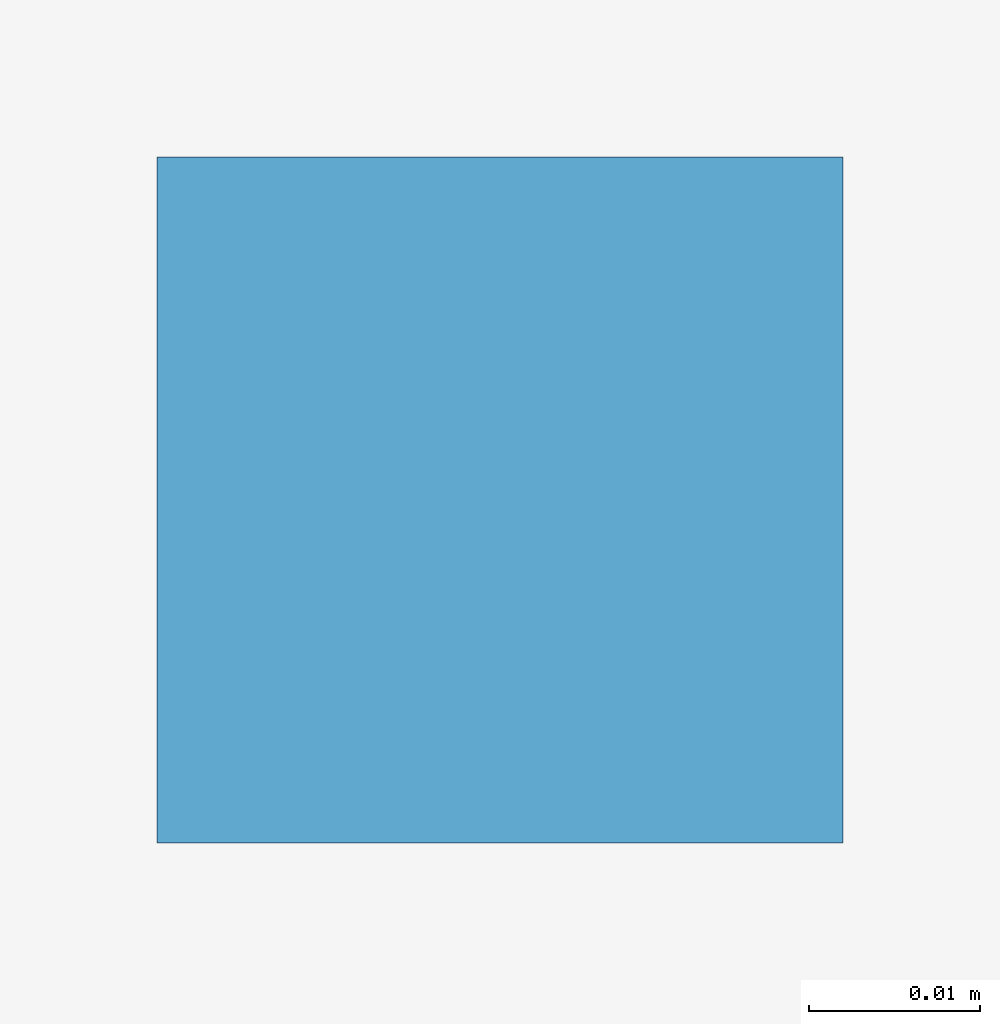
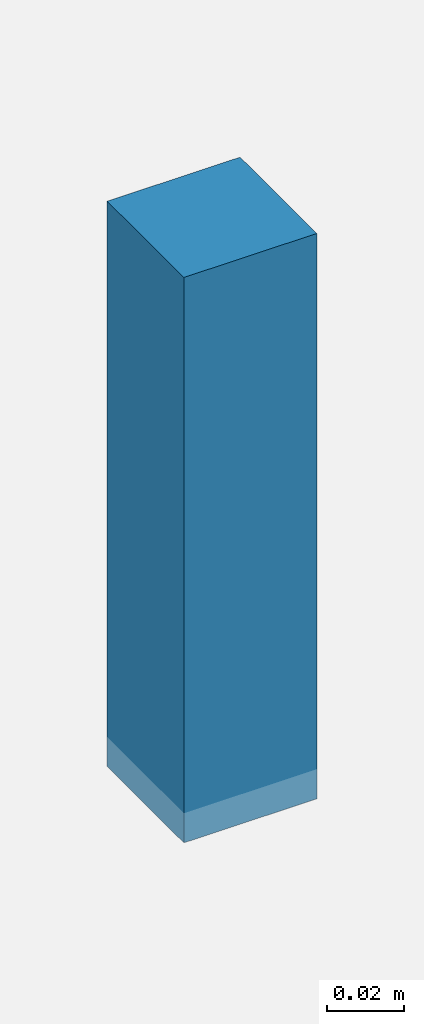
# One storey, part 64 of 85: 1 discrete accessory.
"""IFC4 building model written with IfcOpenShell, lengths in metres."""

from ifc_helpers import new_model, si_unit, direction, frame, origin, origin_2d, place, context, subcontext, project, spatial, rectangle, extrude, material, type_object, element, save


model = new_model("IFC4")

# Units and contexts
model_context = context("Model", 3, precision=1e-05, world=origin(), true_north=direction((0.0, 1.0)))
body_context = subcontext(model_context, "Body", "Model", "MODEL_VIEW")
ifc_project = project(units=[si_unit("LENGTHUNIT", "METRE"), si_unit("AREAUNIT", "SQUARE_METRE"), si_unit("VOLUMEUNIT", "CUBIC_METRE"), si_unit("PLANEANGLEUNIT", "RADIAN"), si_unit("MASSUNIT", "GRAM", prefix="KILO")], contexts=[model_context])

# Site, building, storey
site_placement = place(None, origin())
site = spatial("IfcSite", under=ifc_project, at=site_placement, CompositionType="ELEMENT")
building_placement = place(site_placement, origin())
building = spatial("IfcBuilding", under=site, at=building_placement, Name="Alvorim Cloister Faculty of Sciences", CompositionType="ELEMENT")
storey_placement = place(building_placement, frame((0.0, 0.0, 8.550048828125)))
storey = spatial("IfcBuildingStorey", under=building, at=storey_placement, Name="L02", CompositionType="ELEMENT", Elevation=8.550048828125)

# Discrete accessory
ifc_material = material(Name="Galvanised Painted Steel", Category="steel")
discrete_accessory_type = type_object("IfcDiscreteAccessoryType", Name="ACC-CEIL-ROD", PredefinedType="BRACKET", material=ifc_material)
discrete_accessory_placement = place(storey_placement, frame((80.25, 23.050048828125, 3.22998046875), z_axis=(0.0, 0.0, 1.0), x_axis=(1.0, 0.0, 0.0)))
element("IfcDiscreteAccessory", 1, at=discrete_accessory_placement, inside=storey, type_object=discrete_accessory_type, Name="Ceiling Suspension Bracket ACC-ROD-021", PredefinedType="BRACKET", context=body_context, shape_type="SweptSolid", body=[
    extrude(rectangle(XDim=0.0400390625, YDim=0.0400390625, at=origin_2d()), origin(), (0.0, 0.0, 1.0), 0.179931640625),
])

save(model, "model.ifc")
